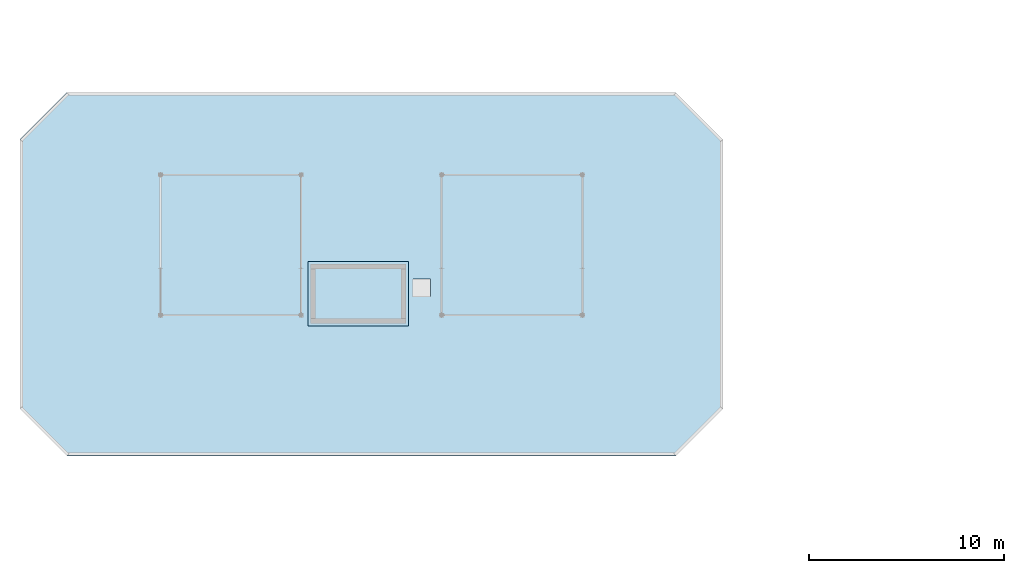
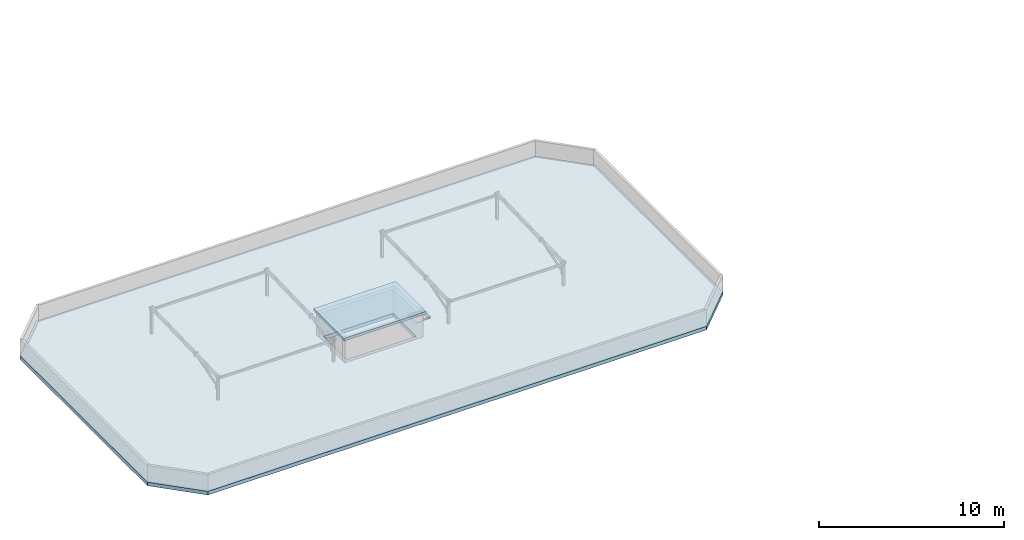
# One storey, part 9 of 31: 2 slabs.
"""IFC4 building model written with IfcOpenShell, lengths in metres."""

from ifc_helpers import new_model, si_unit, direction, frame, origin, place, context, subcontext, project, spatial, polyline, outline, extrude, material, layer, layer_set, type_object, element, save


model = new_model("IFC4")

# Units and contexts
model_context = context("Model", 3, precision=1e-05, world=origin(), true_north=direction((0.0, 1.0)))
body_context = subcontext(model_context, "Body", "Model", "MODEL_VIEW")
ifc_project = project(units=[si_unit("LENGTHUNIT", "METRE"), si_unit("AREAUNIT", "SQUARE_METRE"), si_unit("VOLUMEUNIT", "CUBIC_METRE"), si_unit("PLANEANGLEUNIT", "RADIAN"), si_unit("MASSUNIT", "GRAM", prefix="KILO")], contexts=[model_context])

# Site, building, storey
site_placement = place(None, origin())
site = spatial("IfcSite", under=ifc_project, at=site_placement, CompositionType="ELEMENT")
building_placement = place(site_placement, origin())
building = spatial("IfcBuilding", under=site, at=building_placement, Name="Ochrevale Crest", CompositionType="ELEMENT")
storey_placement = place(building_placement, frame((0.0, 0.0, 37.050048828125)))
storey = spatial("IfcBuildingStorey", under=building, at=storey_placement, Name="L11", CompositionType="ELEMENT", Elevation=37.050048828125)

# Slabs
ifc_material_1 = material(Name="Precast concrete C40/50", Category="concrete")
ifc_layer_1 = layer(ifc_material_1, 0.239990234375)
ifc_layer_set_1 = layer_set([ifc_layer_1], Name="Precast concrete C40/50")
slab_type_1 = type_object("IfcSlabType", Name="SLB-ROOF-240", PredefinedType="ROOF", material=ifc_layer_set_1)
slab_1_placement = place(storey_placement, frame((0.0, 0.0, -0.239990234375)))
element("IfcSlab", 1, at=slab_1_placement, inside=storey, type_object=slab_type_1, Name="Block B L11 main insulated precast roof slab", PredefinedType="ROOF", context=body_context, shape_type="SweptSolid", body=[
    extrude(outline(polyline([(2.39990234375, 72.0), (33.60009765625, 72.0), (36.0, 74.39990234375), (36.0, 88.199951171875), (33.60009765625, 90.60009765625), (2.39990234375, 90.60009765625), (0.0, 88.199951171875), (0.0, 74.39990234375), (2.39990234375, 72.0)]), holes=[polyline([(15.14990234375, 79.050048828125), (19.5, 79.050048828125), (19.5, 81.550048828125), (15.14990234375, 81.550048828125), (15.14990234375, 79.050048828125)]), polyline([(20.125, 80.14990234375), (21.02490234375, 80.14990234375), (21.02490234375, 81.050048828125), (20.125, 81.050048828125), (20.125, 80.14990234375)])]), origin(), (0.0, 0.0, 1.0), 0.239990234375),
])
ifc_material_2 = material(Name="Concrete C40/50", Category="concrete")
ifc_layer_2 = layer(ifc_material_2, 0.179931640625)
ifc_layer_set_2 = layer_set([ifc_layer_2], Name="Concrete C40/50")
slab_type_2 = type_object("IfcSlabType", Name="SLB-ROOF-OVR-180", PredefinedType="ROOF", material=ifc_layer_set_2)
slab_2_placement = place(storey_placement, frame((0.0, 0.0, 1.570068359375)))
element("IfcSlab", 2, at=slab_2_placement, inside=storey, type_object=slab_type_2, Name="Block B lift overrun roof slab", PredefinedType="ROOF", context=body_context, shape_type="SweptSolid", body=[
    extrude(outline(polyline([(14.75, 78.64990234375), (19.89990234375, 78.64990234375), (19.89990234375, 81.949951171875), (14.75, 81.949951171875), (14.75, 78.64990234375)])), origin(), (0.0, 0.0, 1.0), 0.179931640625),
])

save(model, "model.ifc")
